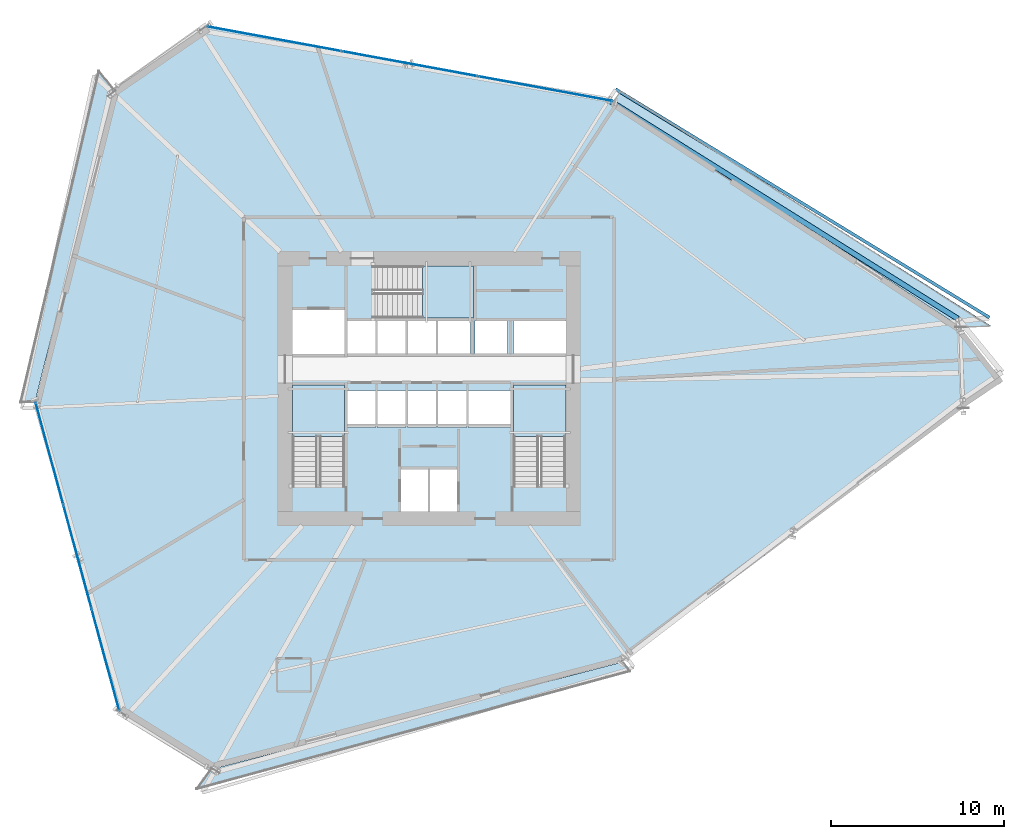
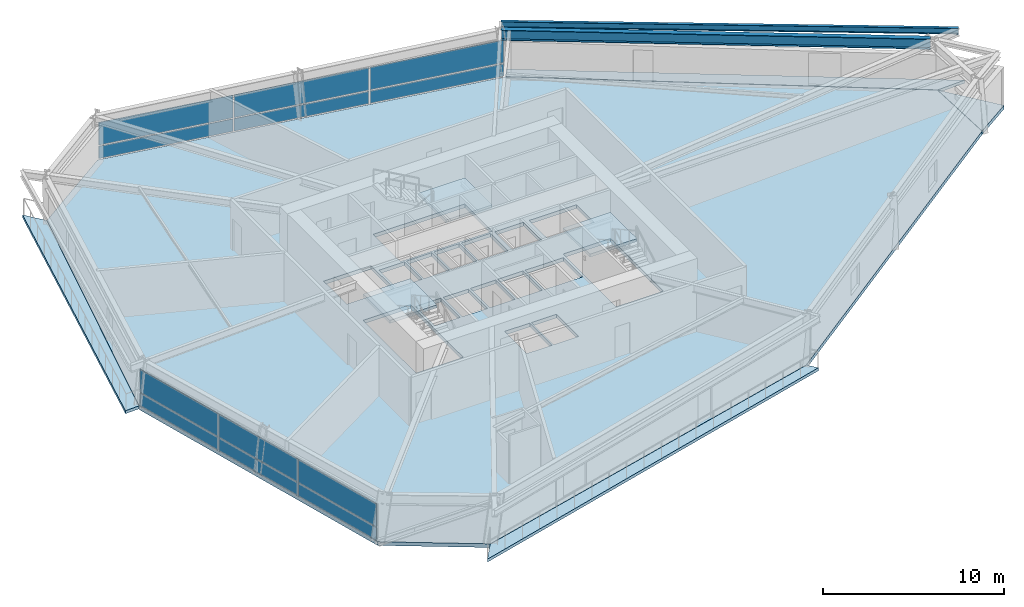
# One storey, part 11 of 20: 12 plates, 8 slabs, 2 beams, 5 elements without a shape of their own.
"""IFC4 building model written with IfcOpenShell, lengths in metres."""

from ifc_helpers import new_model, si_unit, direction, frame, origin, origin_2d, place, context, subcontext, project, spatial, polyline, rectangle, i_section, outline, extrude, source, transform, mapped, material, layer, layer_set, material_profile, profile_set, type_object, element, aggregate, save


model = new_model("IFC4")

# Units and contexts
model_context = context("Model", 3, precision=1e-05, world=origin(), true_north=direction((0.0, 1.0)))
body_context = subcontext(model_context, "Body", "Model", "MODEL_VIEW")
ifc_project = project(units=[si_unit("LENGTHUNIT", "METRE"), si_unit("AREAUNIT", "SQUARE_METRE"), si_unit("VOLUMEUNIT", "CUBIC_METRE"), si_unit("PLANEANGLEUNIT", "RADIAN"), si_unit("MASSUNIT", "GRAM", prefix="KILO")], contexts=[model_context])

# Site, building, storey
site_placement = place(None, origin())
site = spatial("IfcSite", under=ifc_project, at=site_placement, CompositionType="ELEMENT")
building_placement = place(site_placement, origin())
building = spatial("IfcBuilding", under=site, at=building_placement, Name="Olszyna Solenne Hotel", CompositionType="ELEMENT")
storey_placement = place(building_placement, frame((0.0, 0.0, 43.5)))
storey = spatial("IfcBuildingStorey", under=building, at=storey_placement, Name="L10", CompositionType="ELEMENT", Elevation=43.5)

# Beams
ifc_material_1 = material(Name="Steel S355J2", Category="steel")
ifc_material_profile_1 = material_profile(ifc_material_1, i_section(OverallWidth=0.300048828125, OverallDepth=0.699951171875, WebThickness=0.01708984375, FlangeThickness=0.031982421875, at=origin_2d()), Name="HEB 700", Category="load-bearing")
ifc_profile_set_1 = profile_set([ifc_material_profile_1], Name="Steel S355J2")
beam_type_1 = type_object("IfcBeamType", Name="BM-S1", PredefinedType="BEAM", material=ifc_profile_set_1)
shared_shape_1 = source(origin(), body_context, "Body", "SweptSolid", [
    extrude(i_section(OverallWidth=0.300048828125, OverallDepth=0.699951171875, WebThickness=0.01708984375, FlangeThickness=0.031982421875, at=origin_2d()), origin(), (0.0, 0.0, 1.0), 23.779541015625),
])
beam_1_placement = place(storey_placement, frame((68.5546875, 30.644775390625, 2.949951171875), z_axis=(-0.847482256131, 0.530823723606, 0.0), x_axis=(-0.530823723606, -0.847482256131, 0.0)))
element("IfcBeam", 1, at=beam_1_placement, inside=storey, type_object=beam_type_1, Name="Perimeter spandrel beam BM-S1 B-L10-0319", PredefinedType="BEAM", context=body_context, shape_type="MappedRepresentation", body=[
    mapped(shared_shape_1, transform((0.0, 0.0, 0.0), x_axis=(1.0, 0.0, 0.0), y_axis=(0.0, 1.0, 0.0), z_axis=(0.0, 0.0, 1.0), scale=1.0)),
])
ifc_material_profile_2 = material_profile(ifc_material_1, i_section(OverallWidth=0.179931640625, OverallDepth=0.39990234375, WebThickness=0.008544921875, FlangeThickness=0.013427734375, at=origin_2d()), Name="IPE 400", Category="load-bearing")
ifc_profile_set_2 = profile_set([ifc_material_profile_2], Name="Steel S355J2")
beam_type_2 = type_object("IfcBeamType", Name="BM-F5", PredefinedType="BEAM", material=ifc_profile_set_2)
shared_shape_2 = source(origin(), body_context, "Body", "SweptSolid", [
    extrude(i_section(OverallWidth=0.179931640625, OverallDepth=0.39990234375, WebThickness=0.008544921875, FlangeThickness=0.013427734375, at=origin_2d()), origin(), (0.0, 0.0, 1.0), 25.31689453125),
])
beam_2_placement = place(storey_placement, frame((70.384033203125, 30.7099609375, 3.10009765625), z_axis=(-0.853317826519, 0.521391107467, 0.0), x_axis=(-0.521391107467, -0.853317826519, 0.0)))
element("IfcBeam", 2, at=beam_2_placement, inside=storey, type_object=beam_type_2, Name="Loggia outer edge beam BM-F5 B-L10-0344", PredefinedType="BEAM", context=body_context, shape_type="MappedRepresentation", body=[
    mapped(shared_shape_2, transform((0.0, 0.0, 0.0), x_axis=(1.0, 0.0, 0.0), y_axis=(0.0, 1.0, 0.0), z_axis=(0.0, 0.0, 1.0), scale=1.0)),
])

# Stair, slab
ifc_material_2 = material(Name="Concrete C40/50", Category="concrete")
stair_type = type_object("IfcStairType", Name="STR-C1", PredefinedType="TWO_QUARTER_WINDING_STAIR", material=ifc_material_2)
stair_1_placement = place(storey_placement, origin())
stair_1 = element("IfcStair", 3, at=stair_1_placement, inside=storey, type_object=stair_type, Name="L10 ST1", PredefinedType="TWO_QUARTER_WINDING_STAIR")
ifc_layer_1 = layer(ifc_material_2, 0.18994140625, Name="Concrete C40/50")
ifc_layer_set_1 = layer_set([ifc_layer_1], Name="Concrete C40/50")
slab_type_1 = type_object("IfcSlabType", Name="SL-LN190", PredefinedType="LANDING", material=ifc_layer_set_1)
slab_1_placement = place(storey_placement, frame((0.0, 0.0, 1.574951171875)))
slab_1 = element("IfcSlab", 4, at=slab_1_placement, type_object=slab_type_1, Name="ST1 landing 1", PredefinedType="LANDING", context=body_context, shape_type="SweptSolid", body=[
    extrude(outline(polyline([(33.1201171875, 23.85009765625), (33.1201171875, 26.800048828125), (30.10009765625, 26.800048828125), (30.10009765625, 23.85009765625), (33.1201171875, 23.85009765625)])), origin(), (0.0, 0.0, 1.0), 0.199951171875),
])
aggregate(stair_1, [slab_1])

stair_2_placement = place(storey_placement, origin())
stair_2 = element("IfcStair", 5, at=stair_2_placement, inside=storey, type_object=stair_type, Name="L10 ST2", PredefinedType="TWO_QUARTER_WINDING_STAIR")
slab_2_placement = place(storey_placement, frame((0.0, 0.0, 1.574951171875)))
slab_2 = element("IfcSlab", 6, at=slab_2_placement, type_object=slab_type_1, Name="ST2 landing 1", PredefinedType="LANDING", context=body_context, shape_type="SweptSolid", body=[
    extrude(outline(polyline([(45.89990234375, 23.85009765625), (45.89990234375, 26.800048828125), (42.8798828125, 26.800048828125), (42.8798828125, 23.85009765625), (45.89990234375, 23.85009765625)])), origin(), (0.0, 0.0, 1.0), 0.199951171875),
])
aggregate(stair_2, [slab_2])

stair_3_placement = place(storey_placement, origin())
stair_3 = element("IfcStair", 7, at=stair_3_placement, inside=storey, type_object=stair_type, Name="L10 ST3", PredefinedType="TWO_QUARTER_WINDING_STAIR")
slab_3_placement = place(storey_placement, frame((0.0, 0.0, 1.574951171875)))
slab_3 = element("IfcSlab", 8, at=slab_3_placement, type_object=slab_type_1, Name="ST3 landing 1", PredefinedType="LANDING", context=body_context, shape_type="SweptSolid", body=[
    extrude(outline(polyline([(37.6298828125, 30.679931640625), (40.580078125, 30.679931640625), (40.580078125, 33.699951171875), (37.6298828125, 33.699951171875), (37.6298828125, 30.679931640625)])), origin(), (0.0, 0.0, 1.0), 0.199951171875),
])
aggregate(stair_3, [slab_3])

# Slabs
ifc_material_3 = material(Name="Precast concrete C45/55", Category="concrete")
ifc_layer_2 = layer(ifc_material_3, 0.199951171875, Name="Precast concrete C45/55")
ifc_layer_set_2 = layer_set([ifc_layer_2], Name="Precast concrete C45/55")
slab_type_2 = type_object("IfcSlabType", Name="SL-LOG200", PredefinedType="FLOOR", material=ifc_layer_set_2)
slab_4_placement = place(storey_placement, frame((0.0, 0.0, -0.199951171875)))
element("IfcSlab", 9, at=slab_4_placement, inside=storey, type_object=slab_type_2, Name="Exterior loggia balcony slab SL-L10-LG1", PredefinedType="FLOOR", context=body_context, shape_type="SweptSolid", body=[
    extrude(outline(polyline([(48.6611328125, 43.223388671875), (68.716552734375, 30.165283203125), (68.718017578125, 30.164306640625), (68.718994140625, 30.163330078125), (68.72021484375, 30.162109375), (68.726806640625, 30.153564453125), (70.488037109375, 30.221923828125), (49.091552734375, 43.81494140625), (48.6611328125, 43.223388671875)])), origin(), (0.0, 0.0, 1.0), 0.199951171875),
])
slab_5_placement = place(storey_placement, frame((0.0, 0.0, -0.199951171875)))
element("IfcSlab", 10, at=slab_5_placement, inside=storey, type_object=slab_type_2, Name="Exterior loggia balcony slab SL-L10-LG2", PredefinedType="FLOOR", context=body_context, shape_type="SweptSolid", body=[
    extrude(outline(polyline([(15.234619140625, 25.85400390625), (15.234619140625, 25.855224609375), (15.23486328125, 25.856689453125), (15.235107421875, 25.8583984375), (19.76025390625, 43.888916015625), (19.760498046875, 43.89013671875), (19.76123046875, 43.8916015625), (19.761962890625, 43.89306640625), (19.7626953125, 43.894287109375), (19.763916015625, 43.8955078125), (19.764892578125, 43.896484375), (19.765380859375, 43.896728515625), (18.87353515625, 45.0234375), (14.35986328125, 25.820068359375), (15.234619140625, 25.85400390625)])), origin(), (0.0, 0.0, 1.0), 0.199951171875),
])
slab_6_placement = place(storey_placement, frame((0.0, 0.0, -0.199951171875)))
element("IfcSlab", 11, at=slab_6_placement, inside=storey, type_object=slab_type_2, Name="Exterior loggia balcony slab SL-L10-LG3", PredefinedType="FLOOR", context=body_context, shape_type="SweptSolid", body=[
    extrude(outline(polyline([(49.18359375, 10.8056640625), (49.183349609375, 10.805419921875), (49.18212890625, 10.8046875), (49.180908203125, 10.803955078125), (49.1796875, 10.803466796875), (49.17822265625, 10.802978515625), (25.41748046875, 4.60546875), (25.416015625, 4.605224609375), (25.41455078125, 4.60498046875), (25.4130859375, 4.60498046875), (25.41162109375, 4.605224609375), (25.41015625, 4.60546875), (25.40869140625, 4.60595703125), (25.4072265625, 4.6064453125), (25.406005859375, 4.607421875), (25.405029296875, 4.60791015625), (24.535400390625, 3.41259765625), (49.625, 10.248291015625), (49.18359375, 10.8056640625)])), origin(), (0.0, 0.0, 1.0), 0.199951171875),
])
ifc_material_4 = material(Name="Concrete C50/60", Category="concrete")
ifc_layer_3 = layer(ifc_material_4, 0.25, Name="Concrete C50/60")
ifc_layer_set_3 = layer_set([ifc_layer_3], Name="Concrete C50/60")
slab_type_3 = type_object("IfcSlabType", Name="SL-TW250", PredefinedType="FLOOR", material=ifc_layer_set_3)
slab_7_placement = place(storey_placement, frame((0.0, 0.0, -0.25)))
element("IfcSlab", 12, at=slab_7_placement, inside=storey, type_object=slab_type_3, Name="Floor slab SL-TW250 SL-L10-01", PredefinedType="FLOOR", context=body_context, shape_type="SweptSolid", body=[
    extrude(outline(polyline([(68.867431640625, 25.48583984375), (68.70849609375, 30.15283203125), (48.65234375, 43.211181640625), (25.11474609375, 47.541748046875), (19.774658203125, 43.885009765625), (15.249755859375, 25.8544921875), (20.120849609375, 7.91455078125), (25.413818359375, 4.6201171875), (49.17431640625, 10.8173828125), (68.867431640625, 25.48583984375)]), holes=[polyline([(30.10009765625, 20.949951171875), (33.1201171875, 20.949951171875), (33.1201171875, 26.800048828125), (30.10009765625, 26.800048828125), (30.10009765625, 20.949951171875)]), polyline([(42.8798828125, 20.949951171875), (45.89990234375, 20.949951171875), (45.89990234375, 26.800048828125), (42.8798828125, 26.800048828125), (42.8798828125, 20.949951171875)]), polyline([(34.72998046875, 30.679931640625), (40.580078125, 30.679931640625), (40.580078125, 33.699951171875), (34.72998046875, 33.699951171875), (34.72998046875, 30.679931640625)]), polyline([(36.340087890625, 19.5), (37.9599609375, 19.5), (37.9599609375, 21.9599609375), (36.340087890625, 21.9599609375), (36.340087890625, 19.5)]), polyline([(38.0400390625, 19.5), (39.659912109375, 19.5), (39.659912109375, 21.9599609375), (38.0400390625, 21.9599609375), (38.0400390625, 19.5)]), polyline([(30.10009765625, 28.60009765625), (33.1201171875, 28.60009765625), (33.1201171875, 31.159912109375), (30.10009765625, 31.159912109375), (30.10009765625, 28.60009765625)]), polyline([(33.280029296875, 24.360107421875), (34.89990234375, 24.360107421875), (34.89990234375, 26.5), (33.280029296875, 26.5), (33.280029296875, 24.360107421875)]), polyline([(35.030029296875, 24.360107421875), (36.64990234375, 24.360107421875), (36.64990234375, 26.5), (35.030029296875, 26.5), (35.030029296875, 24.360107421875)]), polyline([(36.780029296875, 24.360107421875), (38.39990234375, 24.360107421875), (38.39990234375, 26.5), (36.780029296875, 26.5), (36.780029296875, 24.360107421875)]), polyline([(38.530029296875, 24.360107421875), (40.14990234375, 24.360107421875), (40.14990234375, 26.5), (38.530029296875, 26.5), (38.530029296875, 24.360107421875)]), polyline([(40.280029296875, 24.360107421875), (42.719970703125, 24.360107421875), (42.719970703125, 26.5), (40.280029296875, 26.5), (40.280029296875, 24.360107421875)]), polyline([(33.280029296875, 28.60009765625), (34.89990234375, 28.60009765625), (34.89990234375, 30.550048828125), (33.280029296875, 30.550048828125), (33.280029296875, 28.60009765625)]), polyline([(35.030029296875, 28.60009765625), (36.64990234375, 28.60009765625), (36.64990234375, 30.550048828125), (35.030029296875, 30.550048828125), (35.030029296875, 28.60009765625)]), polyline([(36.780029296875, 28.60009765625), (38.39990234375, 28.60009765625), (38.39990234375, 30.550048828125), (36.780029296875, 30.550048828125), (36.780029296875, 28.60009765625)]), polyline([(38.530029296875, 28.60009765625), (40.389892578125, 28.60009765625), (40.389892578125, 30.550048828125), (38.530029296875, 30.550048828125), (38.530029296875, 28.60009765625)]), polyline([(40.659912109375, 28.60009765625), (42.52001953125, 28.60009765625), (42.52001953125, 30.550048828125), (40.659912109375, 30.550048828125), (40.659912109375, 28.60009765625)]), polyline([(42.8798828125, 28.60009765625), (45.89990234375, 28.60009765625), (45.89990234375, 30.550048828125), (42.8798828125, 30.550048828125), (42.8798828125, 28.60009765625)])]), origin(), (0.0, 0.0, 1.0), 0.25),
])
slab_8_placement = place(storey_placement, frame((0.0, 0.0, -0.25)))
element("IfcSlab", 13, at=slab_8_placement, inside=storey, type_object=slab_type_3, Name="Faceted glass-prism floor slab SL-L10-PR", PredefinedType="FLOOR", context=body_context, shape_type="SweptSolid", body=[
    extrude(outline(polyline([(68.718994140625, 30.139404296875), (68.877197265625, 25.492431640625), (71.166015625, 27.03369140625), (68.718994140625, 30.139404296875)])), origin(), (0.0, 0.0, 1.0), 0.25),
])

# Curtain wall, plates
ifc_material_5 = material(Name="Anodised bronze aluminium", Category="aluminium")
curtain_wall_type = type_object("IfcCurtainWallType", Name="CW-SYS-2", PredefinedType="NOTDEFINED", material=ifc_material_5)
curtain_wall_1_placement = place(storey_placement, origin())
curtain_wall_1 = element("IfcCurtainWall", 14, at=curtain_wall_1_placement, inside=storey, type_object=curtain_wall_type, Name="Unitised curtain wall CW-SYS-2 CW-L10-01", PredefinedType="NOTDEFINED")
ifc_material_6 = material(Name="Terracotta cladding", Category="masonry")
plate_type_1 = type_object("IfcPlateType", Name="PN-SP1", PredefinedType="CURTAIN_PANEL", material=ifc_material_6)
shared_shape_3 = source(origin(), body_context, "Body", "SweptSolid", [
    extrude(rectangle(XDim=6.083984375, YDim=0.035888671875, at=origin_2d()), origin(), (0.0, 0.0, 1.0), 0.83740234375),
])
plate_1_placement = place(storey_placement, frame((16.06640625, 22.846435546875, 0.074951171875), z_axis=(0.0, 0.0, 1.0), x_axis=(0.262038023021, -0.965057549834, 0.0)))
plate_1 = element("IfcPlate", 15, at=plate_1_placement, type_object=plate_type_1, Name="Curtain-wall panel PN-SP1 CP-L10-01-01", PredefinedType="CURTAIN_PANEL", context=body_context, shape_type="MappedRepresentation", body=[
    mapped(shared_shape_3, transform((0.0, 0.0, 0.0), x_axis=(1.0, 0.0, 0.0), y_axis=(0.0, 1.0, 0.0), z_axis=(0.0, 0.0, 1.0), scale=1.0)),
])
plate_2_placement = place(storey_placement, frame((19.30419921875, 10.922607421875, 0.074951171875), z_axis=(0.0, 0.0, 1.0), x_axis=(0.262038023021, -0.965057549834, 0.0)))
plate_2 = element("IfcPlate", 16, at=plate_2_placement, type_object=plate_type_1, Name="Curtain-wall panel PN-SP1 CP-L10-01-05", PredefinedType="CURTAIN_PANEL", context=body_context, shape_type="MappedRepresentation", body=[
    mapped(shared_shape_3, transform((0.0, 0.0, 0.0), x_axis=(1.0, 0.0, 0.0), y_axis=(0.0, 1.0, 0.0), z_axis=(0.0, 0.0, 1.0), scale=1.0)),
])
ifc_material_7 = material(Name="Low-E triple glazing", Category="glass")
plate_type_2 = type_object("IfcPlateType", Name="PN-GL1", PredefinedType="CURTAIN_PANEL", material=ifc_material_7)
shared_shape_4 = source(origin(), body_context, "Body", "SweptSolid", [
    extrude(rectangle(XDim=6.083984375, YDim=0.035888671875, at=origin_2d()), origin(), (0.0, 0.0, 1.0), 1.529541015625),
])
plate_3_placement = place(storey_placement, frame((16.06640625, 22.846435546875, 0.9873046875), z_axis=(0.0, 0.0, 1.0), x_axis=(0.262038023021, -0.965057549834, 0.0)))
plate_3 = element("IfcPlate", 17, at=plate_3_placement, type_object=plate_type_2, Name="Curtain-wall panel PN-GL1 CP-L10-01-02", PredefinedType="CURTAIN_PANEL", context=body_context, shape_type="MappedRepresentation", body=[
    mapped(shared_shape_4, transform((0.0, 0.0, 0.0), x_axis=(1.0, 0.0, 0.0), y_axis=(0.0, 1.0, 0.0), z_axis=(0.0, 0.0, 1.0), scale=1.0)),
])
plate_4_placement = place(storey_placement, frame((19.30419921875, 10.922607421875, 0.9873046875), z_axis=(0.0, 0.0, 1.0), x_axis=(0.262038023021, -0.965057549834, 0.0)))
plate_4 = element("IfcPlate", 18, at=plate_4_placement, type_object=plate_type_2, Name="Curtain-wall panel PN-GL1 CP-L10-01-06", PredefinedType="CURTAIN_PANEL", context=body_context, shape_type="MappedRepresentation", body=[
    mapped(shared_shape_4, transform((0.0, 0.0, 0.0), x_axis=(1.0, 0.0, 0.0), y_axis=(0.0, 1.0, 0.0), z_axis=(0.0, 0.0, 1.0), scale=1.0)),
])
shared_shape_5 = source(origin(), body_context, "Body", "SweptSolid", [
    extrude(rectangle(XDim=6.12158203125, YDim=0.035888671875, at=origin_2d()), origin(), (0.0, 0.0, 1.0), 0.83740234375),
])
plate_5_placement = place(storey_placement, frame((17.685302734375, 16.884521484375, 0.074951171875), z_axis=(0.0, 0.0, 1.0), x_axis=(0.262038023021, -0.965057549834, 0.0)))
plate_5 = element("IfcPlate", 19, at=plate_5_placement, type_object=plate_type_1, Name="Curtain-wall panel PN-SP1 CP-L10-01-03", PredefinedType="CURTAIN_PANEL", context=body_context, shape_type="MappedRepresentation", body=[
    mapped(shared_shape_5, transform((0.0, 0.0, 0.0), x_axis=(1.0, 0.0, 0.0), y_axis=(0.0, 1.0, 0.0), z_axis=(0.0, 0.0, 1.0), scale=1.0)),
])
shared_shape_6 = source(origin(), body_context, "Body", "SweptSolid", [
    extrude(rectangle(XDim=6.12158203125, YDim=0.035888671875, at=origin_2d()), origin(), (0.0, 0.0, 1.0), 1.529541015625),
])
plate_6_placement = place(storey_placement, frame((17.685302734375, 16.884521484375, 0.9873046875), z_axis=(0.0, 0.0, 1.0), x_axis=(0.262038023021, -0.965057549834, 0.0)))
plate_6 = element("IfcPlate", 20, at=plate_6_placement, type_object=plate_type_2, Name="Curtain-wall panel PN-GL1 CP-L10-01-04", PredefinedType="CURTAIN_PANEL", context=body_context, shape_type="MappedRepresentation", body=[
    mapped(shared_shape_6, transform((0.0, 0.0, 0.0), x_axis=(1.0, 0.0, 0.0), y_axis=(0.0, 1.0, 0.0), z_axis=(0.0, 0.0, 1.0), scale=1.0)),
])
aggregate(curtain_wall_1, [plate_1, plate_3, plate_5, plate_6, plate_2, plate_4])

curtain_wall_2_placement = place(storey_placement, origin())
curtain_wall_2 = element("IfcCurtainWall", 21, at=curtain_wall_2_placement, inside=storey, type_object=curtain_wall_type, Name="Unitised curtain wall CW-SYS-2 CW-L10-02", PredefinedType="NOTDEFINED")
shared_shape_7 = source(origin(), body_context, "Body", "SweptSolid", [
    extrude(rectangle(XDim=7.864990234375, YDim=0.035888671875, at=origin_2d()), origin(), (0.0, 0.0, 1.0), 0.83740234375),
])
plate_7_placement = place(storey_placement, frame((29.05615234375, 46.816650390625, 0.074951171875), z_axis=(0.0, 0.0, 1.0), x_axis=(0.983493031781, -0.180946004206, 0.0)))
plate_7 = element("IfcPlate", 22, at=plate_7_placement, type_object=plate_type_1, Name="Curtain-wall panel PN-SP1 CP-L10-02-01", PredefinedType="CURTAIN_PANEL", context=body_context, shape_type="MappedRepresentation", body=[
    mapped(shared_shape_7, transform((0.0, 0.0, 0.0), x_axis=(1.0, 0.0, 0.0), y_axis=(0.0, 1.0, 0.0), z_axis=(0.0, 0.0, 1.0), scale=1.0)),
])
plate_8_placement = place(storey_placement, frame((44.7109375, 43.9365234375, 0.074951171875), z_axis=(0.0, 0.0, 1.0), x_axis=(0.983493031781, -0.180946004206, 0.0)))
plate_8 = element("IfcPlate", 23, at=plate_8_placement, type_object=plate_type_1, Name="Curtain-wall panel PN-SP1 CP-L10-02-05", PredefinedType="CURTAIN_PANEL", context=body_context, shape_type="MappedRepresentation", body=[
    mapped(shared_shape_7, transform((0.0, 0.0, 0.0), x_axis=(1.0, 0.0, 0.0), y_axis=(0.0, 1.0, 0.0), z_axis=(0.0, 0.0, 1.0), scale=1.0)),
])
shared_shape_8 = source(origin(), body_context, "Body", "SweptSolid", [
    extrude(rectangle(XDim=7.864990234375, YDim=0.035888671875, at=origin_2d()), origin(), (0.0, 0.0, 1.0), 1.529541015625),
])
plate_9_placement = place(storey_placement, frame((29.05615234375, 46.816650390625, 0.9873046875), z_axis=(0.0, 0.0, 1.0), x_axis=(0.983493031781, -0.180946004206, 0.0)))
plate_9 = element("IfcPlate", 24, at=plate_9_placement, type_object=plate_type_2, Name="Curtain-wall panel PN-GL1 CP-L10-02-02", PredefinedType="CURTAIN_PANEL", context=body_context, shape_type="MappedRepresentation", body=[
    mapped(shared_shape_8, transform((0.0, 0.0, 0.0), x_axis=(1.0, 0.0, 0.0), y_axis=(0.0, 1.0, 0.0), z_axis=(0.0, 0.0, 1.0), scale=1.0)),
])
plate_10_placement = place(storey_placement, frame((44.7109375, 43.9365234375, 0.9873046875), z_axis=(0.0, 0.0, 1.0), x_axis=(0.983493031781, -0.180946004206, 0.0)))
plate_10 = element("IfcPlate", 25, at=plate_10_placement, type_object=plate_type_2, Name="Curtain-wall panel PN-GL1 CP-L10-02-06", PredefinedType="CURTAIN_PANEL", context=body_context, shape_type="MappedRepresentation", body=[
    mapped(shared_shape_8, transform((0.0, 0.0, 0.0), x_axis=(1.0, 0.0, 0.0), y_axis=(0.0, 1.0, 0.0), z_axis=(0.0, 0.0, 1.0), scale=1.0)),
])
shared_shape_9 = source(origin(), body_context, "Body", "SweptSolid", [
    extrude(rectangle(XDim=7.902587890625, YDim=0.035888671875, at=origin_2d()), origin(), (0.0, 0.0, 1.0), 0.83740234375),
])
plate_11_placement = place(storey_placement, frame((36.883544921875, 45.37646484375, 0.074951171875), z_axis=(0.0, 0.0, 1.0), x_axis=(0.983493031781, -0.180946004206, 0.0)))
plate_11 = element("IfcPlate", 26, at=plate_11_placement, type_object=plate_type_1, Name="Curtain-wall panel PN-SP1 CP-L10-02-03", PredefinedType="CURTAIN_PANEL", context=body_context, shape_type="MappedRepresentation", body=[
    mapped(shared_shape_9, transform((0.0, 0.0, 0.0), x_axis=(1.0, 0.0, 0.0), y_axis=(0.0, 1.0, 0.0), z_axis=(0.0, 0.0, 1.0), scale=1.0)),
])
shared_shape_10 = source(origin(), body_context, "Body", "SweptSolid", [
    extrude(rectangle(XDim=7.902587890625, YDim=0.035888671875, at=origin_2d()), origin(), (0.0, 0.0, 1.0), 1.529541015625),
])
plate_12_placement = place(storey_placement, frame((36.883544921875, 45.37646484375, 0.9873046875), z_axis=(0.0, 0.0, 1.0), x_axis=(0.983493031781, -0.180946004206, 0.0)))
plate_12 = element("IfcPlate", 27, at=plate_12_placement, type_object=plate_type_2, Name="Curtain-wall panel PN-GL1 CP-L10-02-04", PredefinedType="CURTAIN_PANEL", context=body_context, shape_type="MappedRepresentation", body=[
    mapped(shared_shape_10, transform((0.0, 0.0, 0.0), x_axis=(1.0, 0.0, 0.0), y_axis=(0.0, 1.0, 0.0), z_axis=(0.0, 0.0, 1.0), scale=1.0)),
])
aggregate(curtain_wall_2, [plate_7, plate_9, plate_11, plate_12, plate_8, plate_10])

save(model, "model.ifc")
